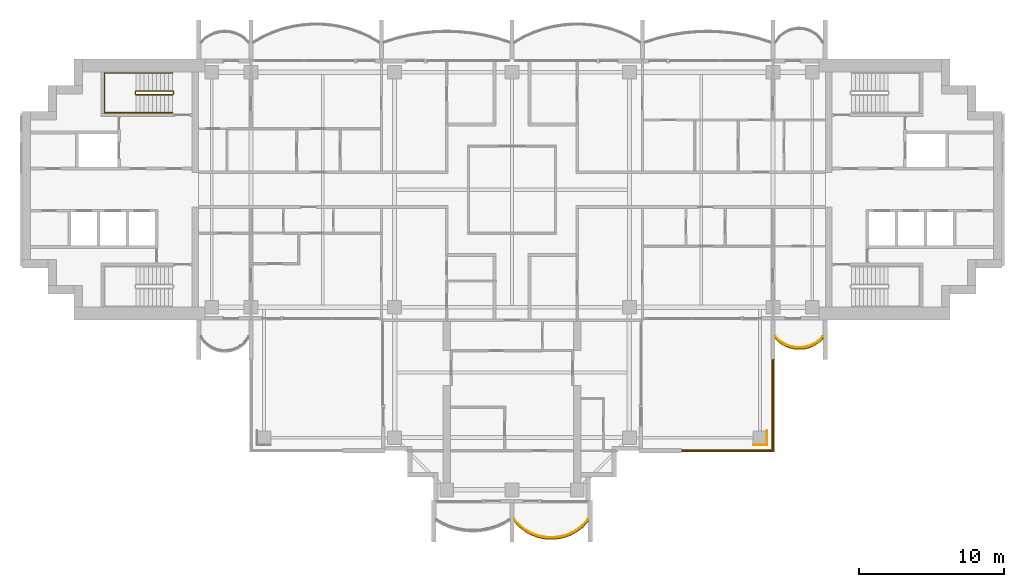
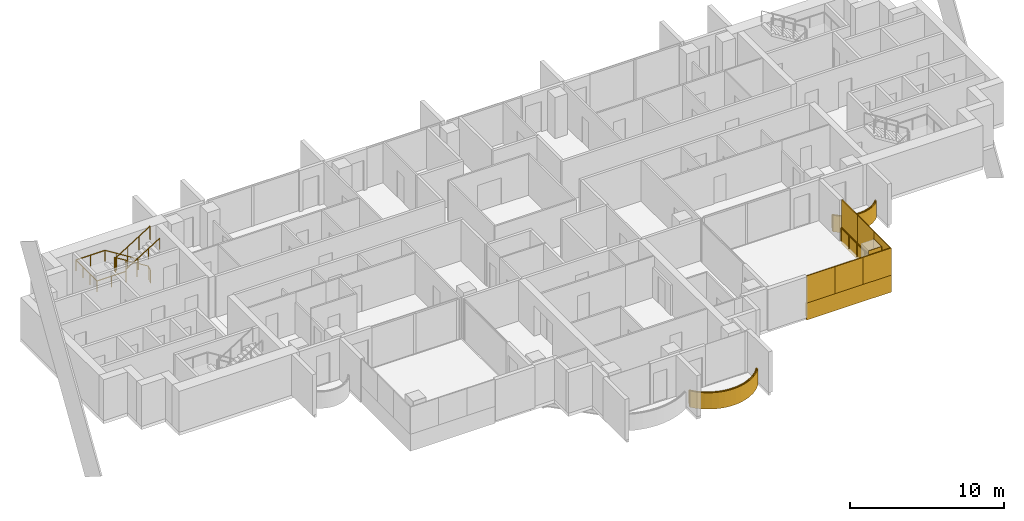
# One storey, part 15 of 17: 11 coverings, 5 railings.
"""IFC4 building model written with IfcOpenShell, lengths in metres."""

from ifc_helpers import new_model, si_unit, direction, frame, origin, origin_2d, place, context, subcontext, project, spatial, polyline, rectangle, outline, extrude, material, layer, layer_set, type_object, element, save


model = new_model("IFC4")

# Units and contexts
model_context = context("Model", 3, precision=1e-05, world=origin(), true_north=direction((0.0, 1.0)))
body_context = subcontext(model_context, "Body", "Model", "MODEL_VIEW")
ifc_project = project(units=[si_unit("LENGTHUNIT", "METRE"), si_unit("AREAUNIT", "SQUARE_METRE"), si_unit("VOLUMEUNIT", "CUBIC_METRE"), si_unit("PLANEANGLEUNIT", "RADIAN"), si_unit("MASSUNIT", "GRAM", prefix="KILO")], contexts=[model_context])

# Site, building, storey
site_placement = place(None, origin())
site = spatial("IfcSite", under=ifc_project, at=site_placement, CompositionType="ELEMENT")
building_placement = place(site_placement, origin())
building = spatial("IfcBuilding", under=site, at=building_placement, Name="Perihelion Cross Residences", CompositionType="ELEMENT")
storey_placement = place(building_placement, frame((0.0, 0.0, 205.10009765625)))
storey = spatial("IfcBuildingStorey", under=building, at=storey_placement, Name="L51", CompositionType="ELEMENT", Elevation=205.10009765625)

# Coverings
ifc_material_1 = material(Name="Bronze anodised aluminium", Category="aluminium")
ifc_layer_1 = layer(ifc_material_1, 0.070068359375)
ifc_layer_set_1 = layer_set([ifc_layer_1], Name="Balcony fascia 1300")
covering_type_1 = type_object("IfcCoveringType", Name="Balcony fascia 1300", PredefinedType="CLADDING", material=ifc_layer_set_1)
covering_1_placement = place(storey_placement, frame((0.0, 0.0, -0.2001953125)))
element("IfcCovering", 1, at=covering_1_placement, inside=storey, type_object=covering_type_1, Name="Fascia BF1 L51 south tip south bay 2", PredefinedType="CLADDING", context=body_context, shape_type="SweptSolid", body=[
    extrude(outline(polyline([(0.4951171875, -23.27392578125), (0.89599609375, -23.58251953125), (1.296875, -23.806396484375), (1.69775390625, -23.9638671875), (2.0986328125, -24.064697265625), (2.49951171875, -24.114013671875), (2.900390625, -24.114013671875), (3.30126953125, -24.064697265625), (3.7021484375, -23.9638671875), (4.10302734375, -23.806396484375), (4.50390625, -23.58251953125), (4.90478515625, -23.27392578125), (5.25, -22.90283203125), (5.25, -22.800048828125), (4.857666015625, -23.22216796875), (4.46533203125, -23.524169921875), (4.072998046875, -23.7431640625), (3.6806640625, -23.897216796875), (3.28857421875, -23.995849609375), (2.896240234375, -24.0439453125), (2.50390625, -24.0439453125), (2.111572265625, -23.995849609375), (1.71923828125, -23.897216796875), (1.326904296875, -23.7431640625), (0.9345703125, -23.524169921875), (0.542236328125, -23.22216796875), (0.14990234375, -22.800048828125), (0.14990234375, -22.90283203125), (0.4951171875, -23.27392578125)])), origin(), (0.0, 0.0, 1.0), 1.300048828125),
])
covering_2_placement = place(storey_placement, frame((0.0, 0.0, -0.2001953125)))
element("IfcCovering", 2, at=covering_2_placement, inside=storey, type_object=covering_type_1, Name="Fascia BF1 L51 east side south bay 2", PredefinedType="CLADDING", context=body_context, shape_type="SweptSolid", body=[
    extrude(outline(polyline([(18.4375, -10.56298828125), (18.778076171875, -10.77587890625), (19.11865234375, -10.914794921875), (19.45947265625, -10.994140625), (19.800048828125, -11.02001953125), (20.140625, -10.994140625), (20.481201171875, -10.914794921875), (20.82177734375, -10.77587890625), (21.16259765625, -10.56298828125), (21.449951171875, -10.295654296875), (21.449951171875, -10.199951171875), (21.1201171875, -10.507568359375), (20.7900390625, -10.71337890625), (20.4599609375, -10.84814453125), (20.1298828125, -10.925048828125), (19.800048828125, -10.949951171875), (19.469970703125, -10.925048828125), (19.139892578125, -10.84814453125), (18.81005859375, -10.71337890625), (18.47998046875, -10.507568359375), (18.14990234375, -10.199951171875), (18.14990234375, -10.295654296875), (18.4375, -10.56298828125)])), origin(), (0.0, 0.0, 1.0), 1.300048828125),
])

# Railings
ifc_material_2 = material(Name="Bronze anodised aluminium", Category="aluminium")
railing_type_1 = type_object("IfcRailingType", Name="Balcony guard 1100", PredefinedType="GUARDRAIL", material=ifc_material_2)
railing_1_placement = place(storey_placement, frame((0.175048828125, -22.739990234375, 0.0)))
element("IfcRailing", 3, at=railing_1_placement, inside=storey, type_object=railing_type_1, Name="Guard GU1 L51 south tip south bay 2 balcony", PredefinedType="GUARDRAIL", context=body_context, shape_type="SweptSolid", body=[
    extrude(rectangle(XDim=0.048095703125, YDim=0.048095703125, at=origin_2d()), frame((0.0, 0.0, 1.076171875), z_axis=(0.656308349551, -0.754492776844, 0.0), x_axis=(0.754492776844, 0.656308349551, 0.0)), (0.0, 0.0, 1.0), 0.5595703125),
    extrude(rectangle(XDim=0.048095703125, YDim=0.048095703125, at=origin_2d()), frame((0.3671875, -0.422119140625, 1.076171875), z_axis=(0.792422303655, -0.609972862241, 0.0), x_axis=(0.609972862241, 0.792422303655, 0.0)), (0.0, 0.0, 1.0), 0.4951171875),
    extrude(rectangle(XDim=0.048095703125, YDim=0.048095703125, at=origin_2d()), frame((0.759521484375, -0.72412109375, 1.076171875), z_axis=(0.873181568748, -0.487395063576, 0.0), x_axis=(0.487395063576, 0.873181568748, 0.0)), (0.0, 0.0, 1.0), 0.44921875),
    extrude(rectangle(XDim=0.048095703125, YDim=0.048095703125, at=origin_2d()), frame((1.15185546875, -0.943115234375, 1.076171875), z_axis=(0.930617693705, -0.365992770642, 0.0), x_axis=(0.365992770642, 0.930617693705, 0.0)), (0.0, 0.0, 1.0), 0.421630859375),
    extrude(rectangle(XDim=0.048095703125, YDim=0.048095703125, at=origin_2d()), frame((1.544189453125, -1.097412109375, 1.076171875), z_axis=(0.969964714601, -0.243245662716, 0.0), x_axis=(0.243245662716, 0.969964714601, 0.0)), (0.0, 0.0, 1.0), 0.404541015625),
    extrude(rectangle(XDim=0.048095703125, YDim=0.048095703125, at=origin_2d()), frame((1.9365234375, -1.19580078125, 1.076171875), z_axis=(0.992494874491, -0.122286238425, 0.0), x_axis=(0.122286238425, 0.992494874491, 0.0)), (0.0, 0.0, 1.0), 0.395263671875),
    extrude(rectangle(XDim=0.048095703125, YDim=0.048095703125, at=origin_2d()), frame((2.328857421875, -1.244140625, 1.076171875), z_axis=(1.0, 0.0, 0.0), x_axis=(0.0, 1.0, 0.0)), (0.0, 0.0, 1.0), 0.392333984375),
    extrude(rectangle(XDim=0.048095703125, YDim=0.048095703125, at=origin_2d()), frame((2.72119140625, -1.244140625, 1.076171875), z_axis=(0.992494874491, 0.122286238425, 0.0), x_axis=(-0.122286238425, 0.992494874491, 0.0)), (0.0, 0.0, 1.0), 0.395263671875),
    extrude(rectangle(XDim=0.048095703125, YDim=0.048095703125, at=origin_2d()), frame((3.113525390625, -1.19580078125, 1.076171875), z_axis=(0.96992896989, 0.243388153715, 0.0), x_axis=(-0.243388153715, 0.96992896989, 0.0)), (0.0, 0.0, 1.0), 0.404296875),
    extrude(rectangle(XDim=0.048095703125, YDim=0.048095703125, at=origin_2d()), frame((3.505615234375, -1.097412109375, 1.076171875), z_axis=(0.930617693705, 0.365992770642, 0.0), x_axis=(-0.365992770642, 0.930617693705, 0.0)), (0.0, 0.0, 1.0), 0.421630859375),
    extrude(rectangle(XDim=0.048095703125, YDim=0.048095703125, at=origin_2d()), frame((3.89794921875, -0.943115234375, 1.076171875), z_axis=(0.873181568748, 0.487395063576, 0.0), x_axis=(-0.487395063576, 0.873181568748, 0.0)), (0.0, 0.0, 1.0), 0.44921875),
    extrude(rectangle(XDim=0.048095703125, YDim=0.048095703125, at=origin_2d()), frame((4.290283203125, -0.72412109375, 1.076171875), z_axis=(0.792422303655, 0.609972862241, 0.0), x_axis=(-0.609972862241, 0.792422303655, 0.0)), (0.0, 0.0, 1.0), 0.4951171875),
    extrude(rectangle(XDim=0.048095703125, YDim=0.048095703125, at=origin_2d()), frame((4.6826171875, -0.422119140625, 1.076171875), z_axis=(0.656556653543, 0.754276713606, 0.0), x_axis=(-0.754276713606, 0.656556653543, 0.0)), (0.0, 0.0, 1.0), 0.5595703125),
    extrude(rectangle(XDim=0.0419921875, YDim=0.0419921875, at=origin_2d()), origin(), (0.0, 0.0, 1.0), 1.052001953125),
    extrude(rectangle(XDim=0.0419921875, YDim=0.0419921875, at=origin_2d()), frame((0.3671875, -0.422119140625, 0.0)), (0.0, 0.0, 1.0), 1.052001953125),
    extrude(rectangle(XDim=0.0419921875, YDim=0.0419921875, at=origin_2d()), frame((0.759521484375, -0.72412109375, 0.0)), (0.0, 0.0, 1.0), 1.052001953125),
    extrude(rectangle(XDim=0.0419921875, YDim=0.0419921875, at=origin_2d()), frame((1.15185546875, -0.943115234375, 0.0)), (0.0, 0.0, 1.0), 1.052001953125),
    extrude(rectangle(XDim=0.0419921875, YDim=0.0419921875, at=origin_2d()), frame((1.544189453125, -1.097412109375, 0.0)), (0.0, 0.0, 1.0), 1.052001953125),
    extrude(rectangle(XDim=0.0419921875, YDim=0.0419921875, at=origin_2d()), frame((1.9365234375, -1.19580078125, 0.0)), (0.0, 0.0, 1.0), 1.052001953125),
    extrude(rectangle(XDim=0.0419921875, YDim=0.0419921875, at=origin_2d()), frame((2.328857421875, -1.244140625, 0.0)), (0.0, 0.0, 1.0), 1.052001953125),
    extrude(rectangle(XDim=0.0419921875, YDim=0.0419921875, at=origin_2d()), frame((2.72119140625, -1.244140625, 0.0)), (0.0, 0.0, 1.0), 1.052001953125),
    extrude(rectangle(XDim=0.0419921875, YDim=0.0419921875, at=origin_2d()), frame((3.113525390625, -1.19580078125, 0.0)), (0.0, 0.0, 1.0), 1.052001953125),
    extrude(rectangle(XDim=0.0419921875, YDim=0.0419921875, at=origin_2d()), frame((3.505615234375, -1.097412109375, 0.0)), (0.0, 0.0, 1.0), 1.052001953125),
    extrude(rectangle(XDim=0.0419921875, YDim=0.0419921875, at=origin_2d()), frame((3.89794921875, -0.943115234375, 0.0)), (0.0, 0.0, 1.0), 1.052001953125),
    extrude(rectangle(XDim=0.0419921875, YDim=0.0419921875, at=origin_2d()), frame((4.290283203125, -0.72412109375, 0.0)), (0.0, 0.0, 1.0), 1.052001953125),
    extrude(rectangle(XDim=0.0419921875, YDim=0.0419921875, at=origin_2d()), frame((4.6826171875, -0.422119140625, 0.0)), (0.0, 0.0, 1.0), 1.052001953125),
    extrude(rectangle(XDim=0.0419921875, YDim=0.0419921875, at=origin_2d()), frame((5.050048828125, 0.0, 0.0)), (0.0, 0.0, 1.0), 1.052001953125),
])
railing_2_placement = place(storey_placement, frame((18.175048828125, -10.139892578125, 0.0)))
element("IfcRailing", 4, at=railing_2_placement, inside=storey, type_object=railing_type_1, Name="Guard GU1 L51 east side south bay 2 balcony", PredefinedType="GUARDRAIL", context=body_context, shape_type="SweptSolid", body=[
    extrude(rectangle(XDim=0.048095703125, YDim=0.048095703125, at=origin_2d()), frame((0.0, 0.0, 1.076171875), z_axis=(0.703999905859, -0.710200065158, 0.0), x_axis=(0.710200065158, 0.703999905859, 0.0)), (0.0, 0.0, 1.0), 0.43310546875),
    extrude(rectangle(XDim=0.048095703125, YDim=0.048095703125, at=origin_2d()), frame((0.304931640625, -0.3076171875, 1.076171875), z_axis=(0.848280173265, -0.529547682127, 0.0), x_axis=(0.529547682127, 0.848280173265, 0.0)), (0.0, 0.0, 1.0), 0.38916015625),
    extrude(rectangle(XDim=0.048095703125, YDim=0.048095703125, at=origin_2d()), frame((0.635009765625, -0.513671875, 1.076171875), z_axis=(0.925950379976, -0.377645195682, 0.0), x_axis=(0.377645195682, 0.925950379976, 0.0)), (0.0, 0.0, 1.0), 0.356201171875),
    extrude(rectangle(XDim=0.048095703125, YDim=0.048095703125, at=origin_2d()), frame((0.96484375, -0.648193359375, 1.076171875), z_axis=(0.97391554583, -0.226910796551, 0.0), x_axis=(0.226910796551, 0.97391554583, 0.0)), (0.0, 0.0, 1.0), 0.3388671875),
    extrude(rectangle(XDim=0.048095703125, YDim=0.048095703125, at=origin_2d()), frame((1.294921875, -0.72509765625, 1.076171875), z_axis=(0.997166208737, -0.075229995038, 0.0), x_axis=(0.075229995038, 0.997166208737, 0.0)), (0.0, 0.0, 1.0), 0.3310546875),
    extrude(rectangle(XDim=0.048095703125, YDim=0.048095703125, at=origin_2d()), frame((1.625, -0.75, 1.076171875), z_axis=(0.997162029931, 0.075285364214, 0.0), x_axis=(-0.075285364214, 0.997162029931, 0.0)), (0.0, 0.0, 1.0), 0.330810546875),
    extrude(rectangle(XDim=0.048095703125, YDim=0.048095703125, at=origin_2d()), frame((1.954833984375, -0.72509765625, 1.076171875), z_axis=(0.97391554583, 0.226910796551, 0.0), x_axis=(-0.226910796551, 0.97391554583, 0.0)), (0.0, 0.0, 1.0), 0.3388671875),
    extrude(rectangle(XDim=0.048095703125, YDim=0.048095703125, at=origin_2d()), frame((2.284912109375, -0.648193359375, 1.076171875), z_axis=(0.926048033295, 0.377405670374, 0.0), x_axis=(-0.377405670374, 0.926048033295, 0.0)), (0.0, 0.0, 1.0), 0.3564453125),
    extrude(rectangle(XDim=0.048095703125, YDim=0.048095703125, at=origin_2d()), frame((2.614990234375, -0.513671875, 1.076171875), z_axis=(0.848280173265, 0.529547682127, 0.0), x_axis=(-0.529547682127, 0.848280173265, 0.0)), (0.0, 0.0, 1.0), 0.38916015625),
    extrude(rectangle(XDim=0.048095703125, YDim=0.048095703125, at=origin_2d()), frame((2.945068359375, -0.3076171875, 1.076171875), z_axis=(0.703999905859, 0.710200065158, 0.0), x_axis=(-0.710200065158, 0.703999905859, 0.0)), (0.0, 0.0, 1.0), 0.43310546875),
    extrude(rectangle(XDim=0.0419921875, YDim=0.0419921875, at=origin_2d()), origin(), (0.0, 0.0, 1.0), 1.052001953125),
    extrude(rectangle(XDim=0.0419921875, YDim=0.0419921875, at=origin_2d()), frame((0.304931640625, -0.3076171875, 0.0)), (0.0, 0.0, 1.0), 1.052001953125),
    extrude(rectangle(XDim=0.0419921875, YDim=0.0419921875, at=origin_2d()), frame((0.635009765625, -0.513671875, 0.0)), (0.0, 0.0, 1.0), 1.052001953125),
    extrude(rectangle(XDim=0.0419921875, YDim=0.0419921875, at=origin_2d()), frame((0.96484375, -0.648193359375, 0.0)), (0.0, 0.0, 1.0), 1.052001953125),
    extrude(rectangle(XDim=0.0419921875, YDim=0.0419921875, at=origin_2d()), frame((1.294921875, -0.72509765625, 0.0)), (0.0, 0.0, 1.0), 1.052001953125),
    extrude(rectangle(XDim=0.0419921875, YDim=0.0419921875, at=origin_2d()), frame((1.625, -0.75, 0.0)), (0.0, 0.0, 1.0), 1.052001953125),
    extrude(rectangle(XDim=0.0419921875, YDim=0.0419921875, at=origin_2d()), frame((1.954833984375, -0.72509765625, 0.0)), (0.0, 0.0, 1.0), 1.052001953125),
    extrude(rectangle(XDim=0.0419921875, YDim=0.0419921875, at=origin_2d()), frame((2.284912109375, -0.648193359375, 0.0)), (0.0, 0.0, 1.0), 1.052001953125),
    extrude(rectangle(XDim=0.0419921875, YDim=0.0419921875, at=origin_2d()), frame((2.614990234375, -0.513671875, 0.0)), (0.0, 0.0, 1.0), 1.052001953125),
    extrude(rectangle(XDim=0.0419921875, YDim=0.0419921875, at=origin_2d()), frame((2.945068359375, -0.3076171875, 0.0)), (0.0, 0.0, 1.0), 1.052001953125),
    extrude(rectangle(XDim=0.0419921875, YDim=0.0419921875, at=origin_2d()), frame((3.25, 0.0, 0.0)), (0.0, 0.0, 1.0), 1.052001953125),
])
railing_3_placement = place(storey_placement, frame((17.93994140625, -11.739990234375, 0.0)))
element("IfcRailing", 5, at=railing_3_placement, inside=storey, type_object=railing_type_1, Name="Guard GU1 L51 pocket south-east 1", PredefinedType="GUARDRAIL", context=body_context, shape_type="SweptSolid", body=[
    extrude(rectangle(XDim=0.048095703125, YDim=0.048095703125, at=origin_2d()), frame((0.0, 0.0, 1.076171875), z_axis=(0.0, -1.0, 0.0), x_axis=(1.0, 0.0, 0.0)), (0.0, 0.0, 1.0), 6.199951171875),
    extrude(rectangle(XDim=0.048095703125, YDim=0.048095703125, at=origin_2d()), frame((0.0, -6.199951171875, 1.076171875), z_axis=(-1.0, 0.0, 0.0), x_axis=(0.0, -1.0, 0.0)), (0.0, 0.0, 1.0), 6.199951171875),
    extrude(rectangle(XDim=0.0419921875, YDim=0.0419921875, at=origin_2d()), origin(), (0.0, 0.0, 1.0), 1.052001953125),
    extrude(rectangle(XDim=0.0419921875, YDim=0.0419921875, at=origin_2d()), frame((0.0, -1.033203125, 0.0)), (0.0, 0.0, 1.0), 1.052001953125),
    extrude(rectangle(XDim=0.0419921875, YDim=0.0419921875, at=origin_2d()), frame((0.0, -2.066650390625, 0.0)), (0.0, 0.0, 1.0), 1.052001953125),
    extrude(rectangle(XDim=0.0419921875, YDim=0.0419921875, at=origin_2d()), frame((0.0, -3.10009765625, 0.0)), (0.0, 0.0, 1.0), 1.052001953125),
    extrude(rectangle(XDim=0.0419921875, YDim=0.0419921875, at=origin_2d()), frame((0.0, -4.13330078125, 0.0)), (0.0, 0.0, 1.0), 1.052001953125),
    extrude(rectangle(XDim=0.0419921875, YDim=0.0419921875, at=origin_2d()), frame((0.0, -5.16650390625, 0.0)), (0.0, 0.0, 1.0), 1.052001953125),
    extrude(rectangle(XDim=0.0419921875, YDim=0.0419921875, at=origin_2d()), frame((0.0, -6.199951171875, 0.0)), (0.0, 0.0, 1.0), 1.052001953125),
    extrude(rectangle(XDim=0.0419921875, YDim=0.0419921875, at=origin_2d()), frame((-1.033203125, -6.199951171875, 0.0)), (0.0, 0.0, 1.0), 1.052001953125),
    extrude(rectangle(XDim=0.0419921875, YDim=0.0419921875, at=origin_2d()), frame((-2.066650390625, -6.199951171875, 0.0)), (0.0, 0.0, 1.0), 1.052001953125),
    extrude(rectangle(XDim=0.0419921875, YDim=0.0419921875, at=origin_2d()), frame((-3.10009765625, -6.199951171875, 0.0)), (0.0, 0.0, 1.0), 1.052001953125),
    extrude(rectangle(XDim=0.0419921875, YDim=0.0419921875, at=origin_2d()), frame((-4.13330078125, -6.199951171875, 0.0)), (0.0, 0.0, 1.0), 1.052001953125),
    extrude(rectangle(XDim=0.0419921875, YDim=0.0419921875, at=origin_2d()), frame((-5.16650390625, -6.199951171875, 0.0)), (0.0, 0.0, 1.0), 1.052001953125),
    extrude(rectangle(XDim=0.0419921875, YDim=0.0419921875, at=origin_2d()), frame((-6.199951171875, -6.199951171875, 0.0)), (0.0, 0.0, 1.0), 1.052001953125),
])

# Coverings
ifc_material_3 = material(Name="Bronze anodised aluminium", Category="aluminium")
ifc_layer_2 = layer(ifc_material_3, 0.0400390625)
ifc_layer_set_2 = layer_set([ifc_layer_2], Name="Bronze column casing 40")
covering_type_2 = type_object("IfcCoveringType", Name="Bronze column casing 40", PredefinedType="CLADDING", material=ifc_layer_set_2)
covering_3_placement = place(storey_placement, frame((17.594970703125, -17.10009765625, -0.25), z_axis=(0.0, 0.0, 1.0), x_axis=(1.0, 0.0, 0.0)))
element("IfcCovering", 6, at=covering_3_placement, inside=storey, type_object=covering_type_2, Name="Cladding CC1 L51 casing east-west no. 2", PredefinedType="CLADDING", context=body_context, shape_type="SweptSolid", body=[
    extrude(rectangle(XDim=0.0400390625, YDim=1.030029296875, at=origin_2d()), origin(), (0.0, 0.0, 1.0), 3.5),
])
covering_4_placement = place(storey_placement, frame((17.10009765625, -17.594970703125, -0.25), z_axis=(0.0, 0.0, 1.0), x_axis=(1.0, 0.0, 0.0)))
element("IfcCovering", 7, at=covering_4_placement, inside=storey, type_object=covering_type_2, Name="Cladding CC1 L51 casing north-south no. 2", PredefinedType="CLADDING", context=body_context, shape_type="SweptSolid", body=[
    extrude(rectangle(XDim=0.949951171875, YDim=0.0400390625, at=origin_2d()), origin(), (0.0, 0.0, 1.0), 3.5),
])
ifc_material_4 = material(Name="Bronze anodised aluminium", Category="aluminium")
ifc_layer_3 = layer(ifc_material_4, 0.070068359375)
ifc_layer_set_3 = layer_set([ifc_layer_3], Name="Pocket fascia 1350")
covering_type_3 = type_object("IfcCoveringType", Name="Pocket fascia 1350", PredefinedType="CLADDING", material=ifc_layer_set_3)
covering_5_placement = place(storey_placement, frame((0.0, 0.0, -0.25)))
element("IfcCovering", 8, at=covering_5_placement, inside=storey, type_object=covering_type_3, Name="Fascia BF2 L51 pocket south-east 3", PredefinedType="CLADDING", context=body_context, shape_type="SweptSolid", body=[
    extrude(outline(polyline([(18.070068359375, -18.070068359375), (18.070068359375, -11.699951171875), (18.0, -11.699951171875), (18.0, -18.0), (11.699951171875, -18.0), (11.699951171875, -18.070068359375), (18.070068359375, -18.070068359375)])), origin(), (0.0, 0.0, 1.0), 1.349853515625),
])
ifc_material_5 = material(Name="Bronze perforated aluminium", Category="aluminium")
ifc_layer_4 = layer(ifc_material_5, 0.070068359375)
ifc_layer_set_4 = layer_set([ifc_layer_4], Name="Pocket solar screen, bronze perforated")
covering_type_4 = type_object("IfcCoveringType", Name="Pocket solar screen, bronze perforated", PredefinedType="CLADDING", material=ifc_layer_set_4)
covering_6_placement = place(storey_placement, frame((0.0, 0.0, 1.099853515625)))
element("IfcCovering", 9, at=covering_6_placement, inside=storey, type_object=covering_type_4, Name="Solar screen PS1 L51 pocket south-east no. 1", PredefinedType="CLADDING", context=body_context, shape_type="SweptSolid", body=[
    extrude(outline(polyline([(18.070068359375, -18.0), (18.070068359375, -15.89990234375), (18.0, -15.89990234375), (18.0, -18.0), (18.070068359375, -18.0)])), origin(), (0.0, 0.0, 1.0), 2.150146484375),
])
covering_7_placement = place(storey_placement, frame((0.0, 0.0, 1.099853515625)))
element("IfcCovering", 10, at=covering_7_placement, inside=storey, type_object=covering_type_4, Name="Solar screen PS1 L51 pocket south-east no. 2", PredefinedType="CLADDING", context=body_context, shape_type="SweptSolid", body=[
    extrude(outline(polyline([(18.070068359375, -15.89990234375), (18.070068359375, -13.800048828125), (18.0, -13.800048828125), (18.0, -15.89990234375), (18.070068359375, -15.89990234375)])), origin(), (0.0, 0.0, 1.0), 2.150146484375),
])
covering_8_placement = place(storey_placement, frame((0.0, 0.0, 1.099853515625)))
element("IfcCovering", 11, at=covering_8_placement, inside=storey, type_object=covering_type_4, Name="Solar screen PS1 L51 pocket south-east no. 3", PredefinedType="CLADDING", context=body_context, shape_type="SweptSolid", body=[
    extrude(outline(polyline([(18.070068359375, -13.800048828125), (18.070068359375, -11.699951171875), (18.0, -11.699951171875), (18.0, -13.800048828125), (18.070068359375, -13.800048828125)])), origin(), (0.0, 0.0, 1.0), 2.150146484375),
])
covering_9_placement = place(storey_placement, frame((0.0, 0.0, 1.099853515625)))
element("IfcCovering", 12, at=covering_9_placement, inside=storey, type_object=covering_type_4, Name="Solar screen PS1 L51 pocket south-east no. 4", PredefinedType="CLADDING", context=body_context, shape_type="SweptSolid", body=[
    extrude(outline(polyline([(13.8232421875, -18.070068359375), (13.8232421875, -18.0), (11.699951171875, -18.0), (11.699951171875, -18.070068359375), (13.8232421875, -18.070068359375)])), origin(), (0.0, 0.0, 1.0), 2.150146484375),
])
covering_10_placement = place(storey_placement, frame((0.0, 0.0, 1.099853515625)))
element("IfcCovering", 13, at=covering_10_placement, inside=storey, type_object=covering_type_4, Name="Solar screen PS1 L51 pocket south-east no. 5", PredefinedType="CLADDING", context=body_context, shape_type="SweptSolid", body=[
    extrude(outline(polyline([(15.94677734375, -18.070068359375), (15.94677734375, -18.0), (13.8232421875, -18.0), (13.8232421875, -18.070068359375), (15.94677734375, -18.070068359375)])), origin(), (0.0, 0.0, 1.0), 2.150146484375),
])
covering_11_placement = place(storey_placement, frame((0.0, 0.0, 1.099853515625)))
element("IfcCovering", 14, at=covering_11_placement, inside=storey, type_object=covering_type_4, Name="Solar screen PS1 L51 pocket south-east no. 6", PredefinedType="CLADDING", context=body_context, shape_type="SweptSolid", body=[
    extrude(outline(polyline([(18.070068359375, -18.070068359375), (18.070068359375, -18.0), (15.94677734375, -18.0), (15.94677734375, -18.070068359375), (18.070068359375, -18.070068359375)])), origin(), (0.0, 0.0, 1.0), 2.150146484375),
])

# Railings
ifc_material_6 = material(Name="Stainless steel", Category="steel")
railing_type_2 = type_object("IfcRailingType", Name="Stair guard 1100", PredefinedType="GUARDRAIL", material=ifc_material_6)
railing_4_placement = place(storey_placement, frame((-23.35009765625, 6.60009765625, 0.0)))
element("IfcRailing", 15, at=railing_4_placement, inside=storey, type_object=railing_type_2, Name="L51 ST-W1 stair guard 1", PredefinedType="GUARDRAIL", context=body_context, shape_type="SweptSolid", body=[
    extrude(rectangle(XDim=0.048095703125, YDim=0.048095703125, at=origin_2d()), frame((0.0, 0.0, 1.076171875), z_axis=(0.0, 1.0, 0.0), x_axis=(-1.0, 0.0, 0.0)), (0.0, 0.0, 1.0), 0.14990234375),
    extrude(rectangle(XDim=0.048095703125, YDim=0.048095703125, at=origin_2d()), frame((0.0, 0.14990234375, 1.076171875), z_axis=(-0.264179342666, 0.265474339444, 0.927217692888), x_axis=(-0.708833529934, -0.705375805398, 0.0)), (0.0, 0.0, 1.0), 0.1884765625),
    extrude(rectangle(XDim=0.048095703125, YDim=0.048095703125, at=origin_2d()), frame((-0.0498046875, 0.199951171875, 1.2509765625), z_axis=(-0.847970611238, 0.0, 0.530043245855), x_axis=(0.0, -1.0, 0.0)), (0.0, 0.0, 1.0), 2.971923828125),
    extrude(rectangle(XDim=0.048095703125, YDim=0.048095703125, at=origin_2d()), frame((-2.56982421875, 0.199951171875, 2.826171875), z_axis=(-0.707106781187, -0.707106781187, 0.0), x_axis=(0.707106781187, -0.707106781187, 0.0)), (0.0, 0.0, 1.0), 0.07080078125),
    extrude(rectangle(XDim=0.048095703125, YDim=0.048095703125, at=origin_2d()), frame((-2.619873046875, 0.14990234375, 2.826171875), z_axis=(0.0, -1.0, 0.0), x_axis=(1.0, 0.0, 0.0)), (0.0, 0.0, 1.0), 0.14990234375),
    extrude(rectangle(XDim=0.048095703125, YDim=0.048095703125, at=origin_2d()), frame((-2.619873046875, 0.0, 2.826171875), z_axis=(0.265383341853, -0.265383341853, 0.926899867156), x_axis=(0.707106781187, 0.707106781187, 0.0)), (0.0, 0.0, 1.0), 0.1884765625),
    extrude(rectangle(XDim=0.048095703125, YDim=0.048095703125, at=origin_2d()), frame((-2.56982421875, -0.050048828125, 3.0009765625), z_axis=(0.847970611238, 0.0, 0.530043245855), x_axis=(0.0, 1.0, 0.0)), (0.0, 0.0, 1.0), 2.971923828125),
    extrude(rectangle(XDim=0.0419921875, YDim=0.0419921875, at=origin_2d()), origin(), (0.0, 0.0, 1.0), 1.052001953125),
    extrude(rectangle(XDim=0.0419921875, YDim=0.0419921875, at=origin_2d()), frame((0.0, 0.14990234375, 0.0)), (0.0, 0.0, 1.0), 1.052001953125),
    extrude(rectangle(XDim=0.0419921875, YDim=0.0419921875, at=origin_2d()), frame((-0.0498046875, 0.199951171875, 0.1748046875)), (0.0, 0.0, 1.0), 1.052001953125),
    extrude(rectangle(XDim=0.0419921875, YDim=0.0419921875, at=origin_2d()), frame((-0.889892578125, 0.199951171875, 0.699951171875)), (0.0, 0.0, 1.0), 1.052001953125),
    extrude(rectangle(XDim=0.0419921875, YDim=0.0419921875, at=origin_2d()), frame((-1.729736328125, 0.199951171875, 1.224853515625)), (0.0, 0.0, 1.0), 1.052001953125),
    extrude(rectangle(XDim=0.0419921875, YDim=0.0419921875, at=origin_2d()), frame((-2.56982421875, 0.199951171875, 1.75)), (0.0, 0.0, 1.0), 1.052001953125),
    extrude(rectangle(XDim=0.0419921875, YDim=0.0419921875, at=origin_2d()), frame((-2.619873046875, 0.14990234375, 1.75)), (0.0, 0.0, 1.0), 1.052001953125),
    extrude(rectangle(XDim=0.0419921875, YDim=0.0419921875, at=origin_2d()), frame((-2.619873046875, 0.0, 1.75)), (0.0, 0.0, 1.0), 1.052001953125),
    extrude(rectangle(XDim=0.0419921875, YDim=0.0419921875, at=origin_2d()), frame((-2.56982421875, -0.050048828125, 1.9248046875)), (0.0, 0.0, 1.0), 1.052001953125),
    extrude(rectangle(XDim=0.0419921875, YDim=0.0419921875, at=origin_2d()), frame((-1.729736328125, -0.050048828125, 2.449951171875)), (0.0, 0.0, 1.0), 1.052001953125),
    extrude(rectangle(XDim=0.0419921875, YDim=0.0419921875, at=origin_2d()), frame((-0.889892578125, -0.050048828125, 2.974853515625)), (0.0, 0.0, 1.0), 1.052001953125),
    extrude(rectangle(XDim=0.0419921875, YDim=0.0419921875, at=origin_2d()), frame((-0.0498046875, -0.050048828125, 3.5)), (0.0, 0.0, 1.0), 1.052001953125),
])
ifc_material_7 = material(Name="Stainless steel", Category="steel")
railing_type_3 = type_object("IfcRailingType", Name="Stair handrail 900", PredefinedType="HANDRAIL", material=ifc_material_7)
railing_5_placement = place(storey_placement, frame((-23.39990234375, 8.050048828125, 0.1748046875)))
element("IfcRailing", 16, at=railing_5_placement, inside=storey, type_object=railing_type_3, Name="L51 ST-W1 stair handrail 1", PredefinedType="HANDRAIL", context=body_context, shape_type="SweptSolid", body=[
    extrude(rectangle(XDim=0.048095703125, YDim=0.048095703125, at=origin_2d()), frame((0.0, 0.0, 0.8759765625), z_axis=(-0.847970611238, 0.0, 0.530043245855), x_axis=(0.0, -1.0, 0.0)), (0.0, 0.0, 1.0), 2.971923828125),
    extrude(rectangle(XDim=0.048095703125, YDim=0.048095703125, at=origin_2d()), frame((-2.52001953125, 0.0, 2.451171875), z_axis=(-1.0, 0.0, 0.0), x_axis=(0.0, -1.0, 0.0)), (0.0, 0.0, 1.0), 2.18017578125),
    extrude(rectangle(XDim=0.048095703125, YDim=0.048095703125, at=origin_2d()), frame((-4.7001953125, 0.0, 2.451171875), z_axis=(0.0, -1.0, 0.0), x_axis=(1.0, 0.0, 0.0)), (0.0, 0.0, 1.0), 2.75),
    extrude(rectangle(XDim=0.048095703125, YDim=0.048095703125, at=origin_2d()), frame((-4.7001953125, -2.75, 2.451171875), z_axis=(1.0, 0.0, 0.0), x_axis=(0.0, 1.0, 0.0)), (0.0, 0.0, 1.0), 2.18017578125),
    extrude(rectangle(XDim=0.048095703125, YDim=0.048095703125, at=origin_2d()), frame((-2.52001953125, -2.75, 2.451171875), z_axis=(0.0, 0.0, 1.0), x_axis=(1.0, 0.0, 0.0)), (0.0, 0.0, 1.0), 0.1748046875),
    extrude(rectangle(XDim=0.048095703125, YDim=0.048095703125, at=origin_2d()), frame((-2.52001953125, -2.75, 2.6259765625), z_axis=(0.847970611238, 0.0, 0.530043245855), x_axis=(0.0, 1.0, 0.0)), (0.0, 0.0, 1.0), 2.971923828125),
    extrude(rectangle(XDim=0.0419921875, YDim=0.0419921875, at=origin_2d()), origin(), (0.0, 0.0, 1.0), 0.851806640625),
    extrude(rectangle(XDim=0.0419921875, YDim=0.0419921875, at=origin_2d()), frame((-0.840087890625, 0.0, 0.525146484375)), (0.0, 0.0, 1.0), 0.851806640625),
    extrude(rectangle(XDim=0.0419921875, YDim=0.0419921875, at=origin_2d()), frame((-1.679931640625, 0.0, 1.050048828125)), (0.0, 0.0, 1.0), 0.851806640625),
    extrude(rectangle(XDim=0.0419921875, YDim=0.0419921875, at=origin_2d()), frame((-2.52001953125, 0.0, 1.5751953125)), (0.0, 0.0, 1.0), 0.851806640625),
    extrude(rectangle(XDim=0.0419921875, YDim=0.0419921875, at=origin_2d()), frame((-3.610107421875, 0.0, 1.5751953125)), (0.0, 0.0, 1.0), 0.851806640625),
    extrude(rectangle(XDim=0.0419921875, YDim=0.0419921875, at=origin_2d()), frame((-4.7001953125, 0.0, 1.5751953125)), (0.0, 0.0, 1.0), 0.851806640625),
    extrude(rectangle(XDim=0.0419921875, YDim=0.0419921875, at=origin_2d()), frame((-4.7001953125, -0.916748046875, 1.5751953125)), (0.0, 0.0, 1.0), 0.851806640625),
    extrude(rectangle(XDim=0.0419921875, YDim=0.0419921875, at=origin_2d()), frame((-4.7001953125, -1.833251953125, 1.5751953125)), (0.0, 0.0, 1.0), 0.851806640625),
    extrude(rectangle(XDim=0.0419921875, YDim=0.0419921875, at=origin_2d()), frame((-4.7001953125, -2.75, 1.5751953125)), (0.0, 0.0, 1.0), 0.851806640625),
    extrude(rectangle(XDim=0.0419921875, YDim=0.0419921875, at=origin_2d()), frame((-3.610107421875, -2.75, 1.5751953125)), (0.0, 0.0, 1.0), 0.851806640625),
    extrude(rectangle(XDim=0.0419921875, YDim=0.0419921875, at=origin_2d()), frame((-2.52001953125, -2.75, 1.5751953125)), (0.0, 0.0, 1.0), 0.851806640625),
    extrude(rectangle(XDim=0.0419921875, YDim=0.0419921875, at=origin_2d()), frame((-2.52001953125, -2.75, 1.75)), (0.0, 0.0, 1.0), 0.851806640625),
    extrude(rectangle(XDim=0.0419921875, YDim=0.0419921875, at=origin_2d()), frame((-1.679931640625, -2.75, 2.275146484375)), (0.0, 0.0, 1.0), 0.851806640625),
    extrude(rectangle(XDim=0.0419921875, YDim=0.0419921875, at=origin_2d()), frame((-0.840087890625, -2.75, 2.800048828125)), (0.0, 0.0, 1.0), 0.851806640625),
    extrude(rectangle(XDim=0.0419921875, YDim=0.0419921875, at=origin_2d()), frame((0.0, -2.75, 3.3251953125)), (0.0, 0.0, 1.0), 0.851806640625),
])

save(model, "model.ifc")
